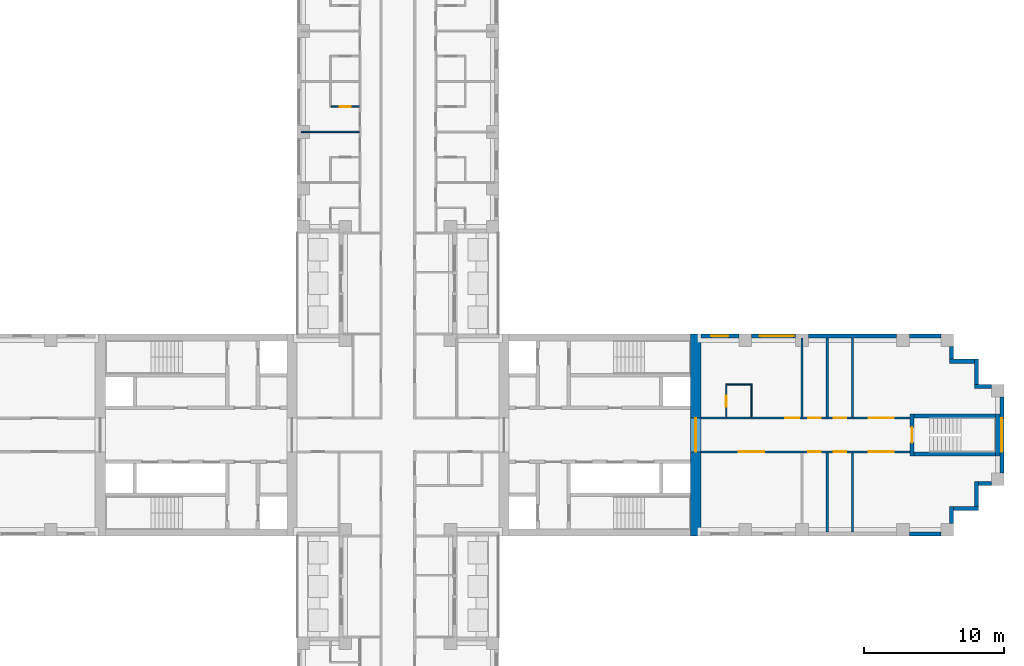
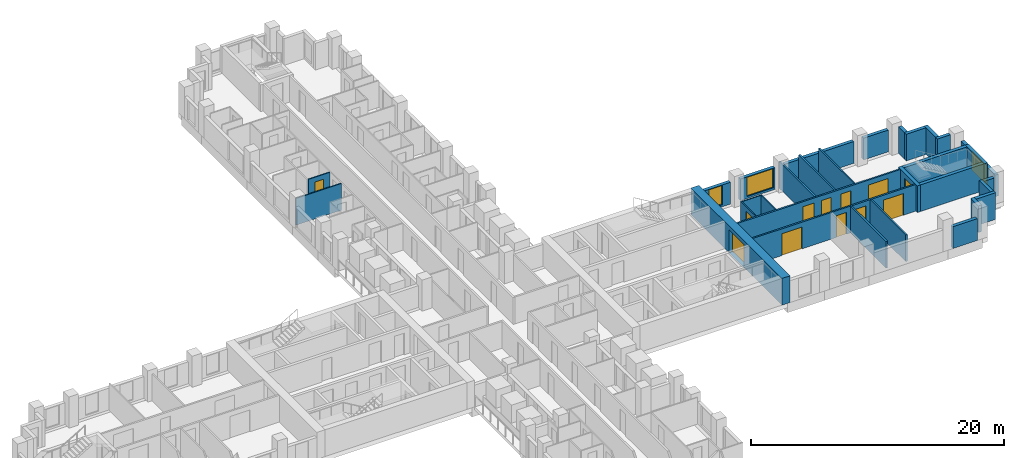
# One storey, part 10 of 15: 31 walls, 12 doors, 3 windows, 15 openings.
"""IFC4 building model written with IfcOpenShell, lengths in metres."""

from ifc_helpers import new_model, si_unit, direction, frame, frame_2d, origin, place, context, subcontext, project, spatial, rectangle, extrude, material, layer, layer_set, type_object, element, fill, save


model = new_model("IFC4")

# Units and contexts
model_context = context("Model", 3, precision=1e-05, world=origin(), true_north=direction((0.0, 1.0)))
body_context = subcontext(model_context, "Body", "Model", "MODEL_VIEW")
ifc_project = project(units=[si_unit("LENGTHUNIT", "METRE"), si_unit("AREAUNIT", "SQUARE_METRE"), si_unit("VOLUMEUNIT", "CUBIC_METRE"), si_unit("PLANEANGLEUNIT", "RADIAN"), si_unit("MASSUNIT", "GRAM", prefix="KILO")], contexts=[model_context])

# Site, building, storey
site_placement = place(None, origin())
site = spatial("IfcSite", under=ifc_project, at=site_placement, CompositionType="ELEMENT")
building_placement = place(site_placement, origin())
building = spatial("IfcBuilding", under=site, at=building_placement, Name="Fustian Cross Tower", CompositionType="ELEMENT")
storey_placement = place(building_placement, frame((0.0, 0.0, 14.699951171875)))
storey = spatial("IfcBuildingStorey", under=building, at=storey_placement, Name="L03", CompositionType="ELEMENT", Elevation=14.699951171875)

# Wall, openings, doors
ifc_material_1 = material(Name="Plasterboard on steel stud", Category="steel")
ifc_layer_1 = layer(ifc_material_1, 0.14990234375)
ifc_layer_set_1 = layer_set([ifc_layer_1], Name="Plasterboard on steel stud")
wall_type_1 = type_object("IfcWallType", Name="COMPARTMENT WALL 150 EI 60", PredefinedType="PARTITIONING", material=ifc_layer_set_1)
wall_1_placement = place(storey_placement, frame((21.60009765625, -1.199951171875, 0.0), z_axis=(0.0, 0.0, 1.0), x_axis=(1.0, 0.0, 0.0)))
wall_1 = element("IfcWall", 1, at=wall_1_placement, inside=storey, type_object=wall_type_1, Name="Partition 99", PredefinedType="PARTITIONING", context=body_context, shape_type="SweptSolid", body=[
    extrude(rectangle(XDim=14.89990234375, YDim=0.14990234375, at=frame_2d((7.449951171875, 0.0))), origin(), (0.0, 0.0, 1.0), 2.574951171875),
])
opening_1_placement = place(wall_1_placement, frame((2.699951171875, 0.0, 0.0)))
opening_1 = element("IfcOpeningElement", 2, at=opening_1_placement, cuts=wall_1, Name="Opening D04015", PredefinedType="OPENING", context=body_context, shape_type="SweptSolid", body=[
    extrude(rectangle(XDim=1.800048828125, YDim=2.10009765625, at=frame_2d((0.89990234375, 1.050048828125))), frame((0.0, 0.0849609375, 0.0), z_axis=(0.0, -1.0, 0.0), x_axis=(1.0, 0.0, 0.0)), (0.0, 0.0, 1.0), 0.169921875),
])
opening_2_placement = place(wall_1_placement, frame((7.64990234375, 0.0, 0.0)))
opening_2 = element("IfcOpeningElement", 3, at=opening_2_placement, cuts=wall_1, Name="Opening D04016", PredefinedType="OPENING", context=body_context, shape_type="SweptSolid", body=[
    extrude(rectangle(XDim=0.89990234375, YDim=2.10009765625, at=frame_2d((0.449951171875, 1.050048828125))), frame((0.0, 0.0849609375, 0.0), z_axis=(0.0, -1.0, 0.0), x_axis=(1.0, 0.0, 0.0)), (0.0, 0.0, 1.0), 0.169921875),
])
opening_3_placement = place(wall_1_placement, frame((9.449951171875, 0.0, 0.0)))
opening_3 = element("IfcOpeningElement", 4, at=opening_3_placement, cuts=wall_1, Name="Opening D04017", PredefinedType="OPENING", context=body_context, shape_type="SweptSolid", body=[
    extrude(rectangle(XDim=0.89990234375, YDim=2.10009765625, at=frame_2d((0.449951171875, 1.050048828125))), frame((0.0, 0.0849609375, 0.0), z_axis=(0.0, -1.0, 0.0), x_axis=(1.0, 0.0, 0.0)), (0.0, 0.0, 1.0), 0.169921875),
])
opening_4_placement = place(wall_1_placement, frame((11.949951171875, 0.0, 0.0)))
opening_4 = element("IfcOpeningElement", 5, at=opening_4_placement, cuts=wall_1, Name="Opening D04018", PredefinedType="OPENING", context=body_context, shape_type="SweptSolid", body=[
    extrude(rectangle(XDim=1.800048828125, YDim=2.10009765625, at=frame_2d((0.89990234375, 1.050048828125))), frame((0.0, 0.0849609375, 0.0), z_axis=(0.0, -1.0, 0.0), x_axis=(1.0, 0.0, 0.0)), (0.0, 0.0, 1.0), 0.169921875),
])
ifc_material_2 = material(Name="Timber fire door set", Category="wood")
door_type_1 = type_object("IfcDoorType", Name="FIRE DOUBLE DOOR 1800 FD30S", OperationType="DOUBLE_DOOR_DOUBLE_SWING", PredefinedType="DOOR", material=ifc_material_2)
door_1_placement = place(opening_1_placement, origin())
door_1 = element("IfcDoor", 6, at=door_1_placement, inside=storey, type_object=door_type_1, Name="Door D04015", OperationType="DOUBLE_DOOR_DOUBLE_SWING", OverallHeight=2.10009765625, OverallWidth=1.800048828125, PredefinedType="DOOR", context=body_context, shape_type="SweptSolid", body=[
    extrude(rectangle(XDim=1.800048828125, YDim=2.10009765625, at=frame_2d((0.89990234375, 1.050048828125))), frame((0.0, 0.02490234375, 0.0), z_axis=(0.0, -1.0, 0.0), x_axis=(1.0, 0.0, 0.0)), (0.0, 0.0, 1.0), 0.050048828125),
])
fill(opening_1, door_1)
door_2_placement = place(opening_4_placement, origin())
door_2 = element("IfcDoor", 7, at=door_2_placement, inside=storey, type_object=door_type_1, Name="Door D04018", OperationType="DOUBLE_DOOR_DOUBLE_SWING", OverallHeight=2.10009765625, OverallWidth=1.800048828125, PredefinedType="DOOR", context=body_context, shape_type="SweptSolid", body=[
    extrude(rectangle(XDim=1.800048828125, YDim=2.10009765625, at=frame_2d((0.89990234375, 1.050048828125))), frame((0.0, 0.02490234375, 0.0), z_axis=(0.0, -1.0, 0.0), x_axis=(1.0, 0.0, 0.0)), (0.0, 0.0, 1.0), 0.050048828125),
])
fill(opening_4, door_2)
ifc_material_3 = material(Name="Timber fire door set", Category="wood")
door_type_2 = type_object("IfcDoorType", Name="FIRE SWING DOOR 900 FD30S", OperationType="SINGLE_SWING_LEFT", PredefinedType="DOOR", material=ifc_material_3)
door_3_placement = place(opening_2_placement, frame((0.89990234375, 0.0, 0.0), z_axis=(0.0, 0.0, 1.0), x_axis=(-1.0, 0.0, 0.0)))
door_3 = element("IfcDoor", 8, at=door_3_placement, inside=storey, type_object=door_type_2, Name="Door D04016", OperationType="SINGLE_SWING_LEFT", OverallHeight=2.10009765625, OverallWidth=0.89990234375, PredefinedType="DOOR", context=body_context, shape_type="SweptSolid", body=[
    extrude(rectangle(XDim=0.89990234375, YDim=2.10009765625, at=frame_2d((0.449951171875, 1.050048828125))), frame((0.0, 0.02490234375, 0.0), z_axis=(0.0, -1.0, 0.0), x_axis=(1.0, 0.0, 0.0)), (0.0, 0.0, 1.0), 0.050048828125),
])
fill(opening_2, door_3)
door_4_placement = place(opening_3_placement, origin())
door_4 = element("IfcDoor", 9, at=door_4_placement, inside=storey, type_object=door_type_2, Name="Door D04017", OperationType="SINGLE_SWING_RIGHT", OverallHeight=2.10009765625, OverallWidth=0.89990234375, PredefinedType="DOOR", context=body_context, shape_type="SweptSolid", body=[
    extrude(rectangle(XDim=0.89990234375, YDim=2.10009765625, at=frame_2d((0.449951171875, 1.050048828125))), frame((0.0, 0.02490234375, 0.0), z_axis=(0.0, -1.0, 0.0), x_axis=(1.0, 0.0, 0.0)), (0.0, 0.0, 1.0), 0.050048828125),
])
fill(opening_3, door_4)

wall_2_placement = place(storey_placement, frame((21.60009765625, 1.199951171875, 0.0), z_axis=(0.0, 0.0, 1.0), x_axis=(1.0, 0.0, 0.0)))
wall_2 = element("IfcWall", 10, at=wall_2_placement, inside=storey, type_object=wall_type_1, Name="Partition 100", PredefinedType="PARTITIONING", context=body_context, shape_type="SweptSolid", body=[
    extrude(rectangle(XDim=14.89990234375, YDim=0.14990234375, at=frame_2d((7.449951171875, 0.0))), origin(), (0.0, 0.0, 1.0), 2.574951171875),
])
opening_5_placement = place(wall_2_placement, frame((6.0, 0.0, 0.0)))
opening_5 = element("IfcOpeningElement", 11, at=opening_5_placement, cuts=wall_2, Name="Opening D04011", PredefinedType="OPENING", context=body_context, shape_type="SweptSolid", body=[
    extrude(rectangle(XDim=1.0, YDim=2.10009765625, at=frame_2d((0.5, 1.050048828125))), frame((0.0, 0.0849609375, 0.0), z_axis=(0.0, -1.0, 0.0), x_axis=(1.0, 0.0, 0.0)), (0.0, 0.0, 1.0), 0.169921875),
])
opening_6_placement = place(wall_2_placement, frame((7.64990234375, 0.0, 0.0)))
opening_6 = element("IfcOpeningElement", 12, at=opening_6_placement, cuts=wall_2, Name="Opening D04012", PredefinedType="OPENING", context=body_context, shape_type="SweptSolid", body=[
    extrude(rectangle(XDim=0.89990234375, YDim=2.10009765625, at=frame_2d((0.449951171875, 1.050048828125))), frame((0.0, 0.0849609375, 0.0), z_axis=(0.0, -1.0, 0.0), x_axis=(1.0, 0.0, 0.0)), (0.0, 0.0, 1.0), 0.169921875),
])
opening_7_placement = place(wall_2_placement, frame((9.449951171875, 0.0, 0.0)))
opening_7 = element("IfcOpeningElement", 13, at=opening_7_placement, cuts=wall_2, Name="Opening D04013", PredefinedType="OPENING", context=body_context, shape_type="SweptSolid", body=[
    extrude(rectangle(XDim=0.89990234375, YDim=2.10009765625, at=frame_2d((0.449951171875, 1.050048828125))), frame((0.0, 0.0849609375, 0.0), z_axis=(0.0, -1.0, 0.0), x_axis=(1.0, 0.0, 0.0)), (0.0, 0.0, 1.0), 0.169921875),
])
opening_8_placement = place(wall_2_placement, frame((11.949951171875, 0.0, 0.0)))
opening_8 = element("IfcOpeningElement", 14, at=opening_8_placement, cuts=wall_2, Name="Opening D04014", PredefinedType="OPENING", context=body_context, shape_type="SweptSolid", body=[
    extrude(rectangle(XDim=1.800048828125, YDim=2.10009765625, at=frame_2d((0.89990234375, 1.050048828125))), frame((0.0, 0.0849609375, 0.0), z_axis=(0.0, -1.0, 0.0), x_axis=(1.0, 0.0, 0.0)), (0.0, 0.0, 1.0), 0.169921875),
])
door_5_placement = place(opening_8_placement, frame((1.800048828125, 0.0, 0.0), z_axis=(0.0, 0.0, 1.0), x_axis=(-1.0, 0.0, 0.0)))
door_5 = element("IfcDoor", 15, at=door_5_placement, inside=storey, type_object=door_type_1, Name="Door D04014", OperationType="DOUBLE_DOOR_DOUBLE_SWING", OverallHeight=2.10009765625, OverallWidth=1.800048828125, PredefinedType="DOOR", context=body_context, shape_type="SweptSolid", body=[
    extrude(rectangle(XDim=1.800048828125, YDim=2.10009765625, at=frame_2d((0.89990234375, 1.050048828125))), frame((0.0, 0.02490234375, 0.0), z_axis=(0.0, -1.0, 0.0), x_axis=(1.0, 0.0, 0.0)), (0.0, 0.0, 1.0), 0.050048828125),
])
fill(opening_8, door_5)
ifc_material_4 = material(Name="Timber fire door set", Category="wood")
door_type_3 = type_object("IfcDoorType", Name="FIRE SWING DOOR 1000 FD30S", OperationType="SINGLE_SWING_LEFT", PredefinedType="DOOR", material=ifc_material_4)
door_6_placement = place(opening_5_placement, origin())
door_6 = element("IfcDoor", 16, at=door_6_placement, inside=storey, type_object=door_type_3, Name="Door D04011", OperationType="SINGLE_SWING_RIGHT", OverallHeight=2.10009765625, OverallWidth=1.0, PredefinedType="DOOR", context=body_context, shape_type="SweptSolid", body=[
    extrude(rectangle(XDim=1.0, YDim=2.10009765625, at=frame_2d((0.5, 1.050048828125))), frame((0.0, 0.02490234375, 0.0), z_axis=(0.0, -1.0, 0.0), x_axis=(1.0, 0.0, 0.0)), (0.0, 0.0, 1.0), 0.050048828125),
])
fill(opening_5, door_6)
door_7_placement = place(opening_6_placement, origin())
door_7 = element("IfcDoor", 17, at=door_7_placement, inside=storey, type_object=door_type_2, Name="Door D04012", OperationType="SINGLE_SWING_RIGHT", OverallHeight=2.10009765625, OverallWidth=0.89990234375, PredefinedType="DOOR", context=body_context, shape_type="SweptSolid", body=[
    extrude(rectangle(XDim=0.89990234375, YDim=2.10009765625, at=frame_2d((0.449951171875, 1.050048828125))), frame((0.0, 0.02490234375, 0.0), z_axis=(0.0, -1.0, 0.0), x_axis=(1.0, 0.0, 0.0)), (0.0, 0.0, 1.0), 0.050048828125),
])
fill(opening_6, door_7)
door_8_placement = place(opening_7_placement, origin())
door_8 = element("IfcDoor", 18, at=door_8_placement, inside=storey, type_object=door_type_2, Name="Door D04013", OperationType="SINGLE_SWING_RIGHT", OverallHeight=2.10009765625, OverallWidth=0.89990234375, PredefinedType="DOOR", context=body_context, shape_type="SweptSolid", body=[
    extrude(rectangle(XDim=0.89990234375, YDim=2.10009765625, at=frame_2d((0.449951171875, 1.050048828125))), frame((0.0, 0.02490234375, 0.0), z_axis=(0.0, -1.0, 0.0), x_axis=(1.0, 0.0, 0.0)), (0.0, 0.0, 1.0), 0.050048828125),
])
fill(opening_7, door_8)

# Walls
for number, where, z_axis, x_axis, name in (
    (19, (28.800048828125, 1.27490234375, 0.0), (0.0, 0.0, 1.0), (0.0, 1.0, 0.0), "Partition 105"),
    (20, (30.60009765625, -6.89990234375, 0.0), (0.0, 0.0, 1.0), (0.0, 1.0, 0.0), "Partition 106"),
    (21, (30.60009765625, 1.27490234375, 0.0), (0.0, 0.0, 1.0), (0.0, 1.0, 0.0), "Partition 107"),
    (22, (32.39990234375, -6.89990234375, 0.0), (0.0, 0.0, 1.0), (0.0, 1.0, 0.0), "Partition 108"),
):
    element("IfcWall", number, at=place(storey_placement, frame(where, z_axis=z_axis, x_axis=x_axis)), inside=storey, type_object=wall_type_1, Name=name, PredefinedType="PARTITIONING", context=body_context, shape_type="SweptSolid", body=[
        extrude(rectangle(XDim=5.625, YDim=0.14990234375, at=frame_2d((2.8125, 0.0))), origin(), (0.0, 0.0, 1.0), 2.574951171875),
    ])

# Wall, opening, door
ifc_material_5 = material(Name="Concrete C80/95", Category="concrete")
ifc_layer_2 = layer(ifc_material_5, 0.75)
ifc_layer_set_2 = layer_set([ifc_layer_2], Name="Concrete C80/95")
wall_type_2 = type_object("IfcWallType", Name="CORE END WALL 750 C80/95", PredefinedType="SHEAR", material=ifc_layer_set_2)
wall_3_placement = place(storey_placement, frame((21.22509765625, -7.199951171875, 0.0), z_axis=(0.0, 0.0, 1.0), x_axis=(0.0, 1.0, 0.0)))
wall_3 = element("IfcWall", 23, at=wall_3_placement, inside=storey, type_object=wall_type_2, Name="Core end wall", PredefinedType="SHEAR", context=body_context, shape_type="SweptSolid", body=[
    extrude(rectangle(XDim=14.39990234375, YDim=0.75, at=frame_2d((7.199951171875, 0.0))), origin(), (0.0, 0.0, 1.0), 2.574951171875),
])
opening_9_placement = place(wall_3_placement, frame((6.0, 0.0, 0.0)))
opening_9 = element("IfcOpeningElement", 24, at=opening_9_placement, cuts=wall_3, Name="Opening CD-04-13", PredefinedType="OPENING", context=body_context, shape_type="SweptSolid", body=[
    extrude(rectangle(XDim=2.39990234375, YDim=2.199951171875, at=frame_2d((1.199951171875, 1.10009765625))), frame((0.0, 0.385009765625, 0.0), z_axis=(0.0, -1.0, 0.0), x_axis=(1.0, 0.0, 0.0)), (0.0, 0.0, 1.0), 0.77001953125),
])
ifc_material_6 = material(Name="Steel", Category="steel")
door_type_4 = type_object("IfcDoorType", Name="FIRE DOOR FD30S DOUBLE 2400X2200", OperationType="DOUBLE_DOOR_DOUBLE_SWING", PredefinedType="DOOR", material=ifc_material_6)
door_9_placement = place(opening_9_placement, origin())
door_9 = element("IfcDoor", 25, at=door_9_placement, inside=storey, type_object=door_type_4, Name="Core door CD-04-13", OperationType="DOUBLE_DOOR_DOUBLE_SWING", OverallHeight=2.199951171875, OverallWidth=2.39990234375, PredefinedType="DOOR", context=body_context, shape_type="SweptSolid", body=[
    extrude(rectangle(XDim=2.39990234375, YDim=2.199951171875, at=frame_2d((1.199951171875, 1.10009765625))), frame((0.0, 0.02490234375, 0.0), z_axis=(0.0, -1.0, 0.0), x_axis=(1.0, 0.0, 0.0)), (0.0, 0.0, 1.0), 0.050048828125),
])
fill(opening_9, door_9)

# Wall
ifc_material_7 = material(Name="Plasterboard on steel stud", Category="steel")
ifc_layer_3 = layer(ifc_material_7, 0.10009765625)
ifc_layer_set_3 = layer_set([ifc_layer_3], Name="Plasterboard on steel stud")
wall_type_3 = type_object("IfcWallType", Name="PARTITION 100 STUD", PredefinedType="PARTITIONING", material=ifc_layer_set_3)
wall_4_placement = place(storey_placement, frame((-6.89990234375, 21.60009765625, 0.0), z_axis=(0.0, 0.0, 1.0), x_axis=(1.0, 0.0, 0.0)))
element("IfcWall", 26, at=wall_4_placement, inside=storey, type_object=wall_type_3, Name="Partition 18", PredefinedType="PARTITIONING", context=body_context, shape_type="SweptSolid", body=[
    extrude(rectangle(XDim=4.14990234375, YDim=0.10009765625, at=frame_2d((2.074951171875, 0.0))), origin(), (0.0, 0.0, 1.0), 2.574951171875),
])

# Wall, opening, door
wall_5_placement = place(storey_placement, frame((-4.75, 23.39990234375, 0.0), z_axis=(0.0, 0.0, 1.0), x_axis=(1.0, 0.0, 0.0)))
wall_5 = element("IfcWall", 27, at=wall_5_placement, inside=storey, type_object=wall_type_3, Name="Partition 40", PredefinedType="PARTITIONING", context=body_context, shape_type="SweptSolid", body=[
    extrude(rectangle(XDim=2.0, YDim=0.10009765625, at=frame_2d((1.0, 0.0))), origin(), (0.0, 0.0, 1.0), 2.574951171875),
])
opening_10_placement = place(wall_5_placement, frame((0.60009765625, 0.0, 0.0)))
opening_10 = element("IfcOpeningElement", 28, at=opening_10_placement, cuts=wall_5, Name="Opening D04030", PredefinedType="OPENING", context=body_context, shape_type="SweptSolid", body=[
    extrude(rectangle(XDim=0.800048828125, YDim=2.10009765625, at=frame_2d((0.39990234375, 1.050048828125))), frame((0.0, 0.06005859375, 0.0), z_axis=(0.0, -1.0, 0.0), x_axis=(1.0, 0.0, 0.0)), (0.0, 0.0, 1.0), 0.1201171875),
])
ifc_material_8 = material(Name="Painted timber", Category="wood")
door_type_5 = type_object("IfcDoorType", Name="SWING DOOR 800", OperationType="SINGLE_SWING_LEFT", PredefinedType="DOOR", material=ifc_material_8)
door_10_placement = place(opening_10_placement, origin())
door_10 = element("IfcDoor", 29, at=door_10_placement, inside=storey, type_object=door_type_5, Name="Door D04030", OperationType="SINGLE_SWING_LEFT", OverallHeight=2.10009765625, OverallWidth=0.800048828125, PredefinedType="DOOR", context=body_context, shape_type="SweptSolid", body=[
    extrude(rectangle(XDim=0.800048828125, YDim=2.10009765625, at=frame_2d((0.39990234375, 1.050048828125))), frame((0.0, 0.02490234375, 0.0), z_axis=(0.0, -1.0, 0.0), x_axis=(1.0, 0.0, 0.0)), (0.0, 0.0, 1.0), 0.050048828125),
])
fill(opening_10, door_10)

wall_6_placement = place(storey_placement, frame((23.39990234375, 1.27490234375, 0.0), z_axis=(0.0, 0.0, 1.0), x_axis=(0.0, 1.0, 0.0)))
wall_6 = element("IfcWall", 30, at=wall_6_placement, inside=storey, type_object=wall_type_3, Name="Partition 101", PredefinedType="PARTITIONING", context=body_context, shape_type="SweptSolid", body=[
    extrude(rectangle(XDim=2.375, YDim=0.10009765625, at=frame_2d((1.1875, 0.0))), origin(), (0.0, 0.0, 1.0), 2.574951171875),
])
opening_11_placement = place(wall_6_placement, frame((0.72509765625, 0.0, 0.0)))
opening_11 = element("IfcOpeningElement", 31, at=opening_11_placement, cuts=wall_6, Name="Opening D04010", PredefinedType="OPENING", context=body_context, shape_type="SweptSolid", body=[
    extrude(rectangle(XDim=0.800048828125, YDim=2.10009765625, at=frame_2d((0.39990234375, 1.050048828125))), frame((0.0, 0.06005859375, 0.0), z_axis=(0.0, -1.0, 0.0), x_axis=(1.0, 0.0, 0.0)), (0.0, 0.0, 1.0), 0.1201171875),
])
door_11_placement = place(opening_11_placement, frame((0.800048828125, 0.0, 0.0), z_axis=(0.0, 0.0, 1.0), x_axis=(-1.0, 0.0, 0.0)))
door_11 = element("IfcDoor", 32, at=door_11_placement, inside=storey, type_object=door_type_5, Name="Door D04010", OperationType="SINGLE_SWING_RIGHT", OverallHeight=2.10009765625, OverallWidth=0.800048828125, PredefinedType="DOOR", context=body_context, shape_type="SweptSolid", body=[
    extrude(rectangle(XDim=0.800048828125, YDim=2.10009765625, at=frame_2d((0.39990234375, 1.050048828125))), frame((0.0, 0.02490234375, 0.0), z_axis=(0.0, -1.0, 0.0), x_axis=(1.0, 0.0, 0.0)), (0.0, 0.0, 1.0), 0.050048828125),
])
fill(opening_11, door_11)

# Walls
wall_7_placement = place(storey_placement, frame((23.449951171875, 3.60009765625, 0.0), z_axis=(0.0, 0.0, 1.0), x_axis=(1.0, 0.0, 0.0)))
element("IfcWall", 33, at=wall_7_placement, inside=storey, type_object=wall_type_3, Name="Partition 102", PredefinedType="PARTITIONING", context=body_context, shape_type="SweptSolid", body=[
    extrude(rectangle(XDim=1.800048828125, YDim=0.10009765625, at=frame_2d((0.89990234375, 0.0))), origin(), (0.0, 0.0, 1.0), 2.574951171875),
])
wall_8_placement = place(storey_placement, frame((25.199951171875, 1.27490234375, 0.0), z_axis=(0.0, 0.0, 1.0), x_axis=(0.0, 1.0, 0.0)))
element("IfcWall", 34, at=wall_8_placement, inside=storey, type_object=wall_type_3, Name="Partition 103", PredefinedType="PARTITIONING", context=body_context, shape_type="SweptSolid", body=[
    extrude(rectangle(XDim=2.275146484375, YDim=0.10009765625, at=frame_2d((1.1376953125, 0.0))), origin(), (0.0, 0.0, 1.0), 2.574951171875),
])

# Wall, opening, door
ifc_material_9 = material(Name="Concrete C50/60", Category="concrete")
ifc_layer_4 = layer(ifc_material_9, 0.300048828125)
ifc_layer_set_4 = layer_set([ifc_layer_4], Name="Concrete C50/60")
wall_type_4 = type_object("IfcWallType", Name="STAIR ENCLOSURE WALL 300 C50/60", PredefinedType="SHEAR", material=ifc_layer_set_4)
wall_9_placement = place(storey_placement, frame((36.64990234375, -1.5, 0.0), z_axis=(0.0, 0.0, 1.0), x_axis=(0.0, 1.0, 0.0)))
wall_9 = element("IfcWall", 35, at=wall_9_placement, inside=storey, type_object=wall_type_4, Name="Stair enclosure wall", PredefinedType="SHEAR", context=body_context, shape_type="SweptSolid", body=[
    extrude(rectangle(XDim=3.0, YDim=0.300048828125, at=frame_2d((1.5, 0.0))), origin(), (0.0, 0.0, 1.0), 2.574951171875),
])
opening_12_placement = place(wall_9_placement, frame((0.949951171875, 0.0, 0.0)))
opening_12 = element("IfcOpeningElement", 36, at=opening_12_placement, cuts=wall_9, Name="Opening CD-04-31", PredefinedType="OPENING", context=body_context, shape_type="SweptSolid", body=[
    extrude(rectangle(XDim=1.10009765625, YDim=2.10009765625, at=frame_2d((0.550048828125, 1.050048828125))), frame((0.0, 0.159912109375, 0.0), z_axis=(0.0, -1.0, 0.0), x_axis=(1.0, 0.0, 0.0)), (0.0, 0.0, 1.0), 0.320068359375),
])
ifc_material_10 = material(Name="Steel", Category="steel")
door_type_6 = type_object("IfcDoorType", Name="FIRE DOOR FD60S 1100X2100", OperationType="SINGLE_SWING_LEFT", PredefinedType="DOOR", material=ifc_material_10)
door_12_placement = place(opening_12_placement, frame((1.10009765625, 0.0, 0.0), z_axis=(0.0, 0.0, 1.0), x_axis=(-1.0, 0.0, 0.0)))
door_12 = element("IfcDoor", 37, at=door_12_placement, inside=storey, type_object=door_type_6, Name="Core door CD-04-31", OperationType="SINGLE_SWING_RIGHT", OverallHeight=2.10009765625, OverallWidth=1.10009765625, PredefinedType="DOOR", context=body_context, shape_type="SweptSolid", body=[
    extrude(rectangle(XDim=1.10009765625, YDim=2.10009765625, at=frame_2d((0.550048828125, 1.050048828125))), frame((0.0, 0.02490234375, 0.0), z_axis=(0.0, -1.0, 0.0), x_axis=(1.0, 0.0, 0.0)), (0.0, 0.0, 1.0), 0.050048828125),
])
fill(opening_12, door_12)

# Walls
wall_10_placement = place(storey_placement, frame((42.75, -1.5, 0.0), z_axis=(0.0, 0.0, 1.0), x_axis=(0.0, 1.0, 0.0)))
element("IfcWall", 38, at=wall_10_placement, inside=storey, type_object=wall_type_4, Name="Stair enclosure wall", PredefinedType="SHEAR", context=body_context, shape_type="SweptSolid", body=[
    extrude(rectangle(XDim=3.0, YDim=0.300048828125, at=frame_2d((1.5, 0.0))), origin(), (0.0, 0.0, 1.0), 2.574951171875),
])
for number, where, z_axis, x_axis, name in (
    (39, (36.800048828125, -1.35009765625, 0.0), (0.0, 0.0, 1.0), (1.0, 0.0, 0.0), "Stair enclosure wall"),
    (40, (36.800048828125, 1.35009765625, 0.0), (0.0, 0.0, 1.0), (1.0, 0.0, 0.0), "Stair enclosure wall"),
):
    element("IfcWall", number, at=place(storey_placement, frame(where, z_axis=z_axis, x_axis=x_axis)), inside=storey, type_object=wall_type_4, Name=name, PredefinedType="SHEAR", context=body_context, shape_type="SweptSolid", body=[
        extrude(rectangle(XDim=5.800048828125, YDim=0.300048828125, at=frame_2d((2.89990234375, 0.0))), origin(), (0.0, 0.0, 1.0), 2.574951171875),
    ])
ifc_material_11 = material(Name="Plasterboard on steel stud", Category="steel")
ifc_layer_5 = layer(ifc_material_11, 0.125)
ifc_layer_set_5 = layer_set([ifc_layer_5], Name="Plasterboard on steel stud")
wall_type_5 = type_object("IfcWallType", Name="WET WALL 125 STUD", PredefinedType="PARTITIONING", material=ifc_layer_set_5)
wall_11_placement = place(storey_placement, frame((32.39990234375, 1.27490234375, 0.0), z_axis=(0.0, 0.0, 1.0), x_axis=(0.0, 1.0, 0.0)))
element("IfcWall", 41, at=wall_11_placement, inside=storey, type_object=wall_type_5, Name="Partition 109", PredefinedType="PARTITIONING", context=body_context, shape_type="SweptSolid", body=[
    extrude(rectangle(XDim=5.625, YDim=0.125, at=frame_2d((2.8125, 0.0))), origin(), (0.0, 0.0, 1.0), 2.574951171875),
])
ifc_material_12 = material(Name="Dark aluminium cladding on insulated backing wall", Category="aluminium")
ifc_layer_6 = layer(ifc_material_12, 0.300048828125)
ifc_layer_set_6 = layer_set([ifc_layer_6], Name="Dark aluminium cladding on insulated backing wall")
wall_type_6 = type_object("IfcWallType", Name="XW1 EXTERNAL WALL 300", PredefinedType="SOLIDWALL", material=ifc_layer_set_6)
wall_12_placement = place(storey_placement, frame((36.449951171875, -7.050048828125, 0.0), z_axis=(0.0, 0.0, 1.0), x_axis=(1.0, 0.0, 0.0)))
element("IfcWall", 42, at=wall_12_placement, inside=storey, type_object=wall_type_6, Name="External wall", PredefinedType="SOLIDWALL", context=body_context, shape_type="SweptSolid", body=[
    extrude(rectangle(XDim=2.25, YDim=0.300048828125, at=frame_2d((1.125, 0.0))), origin(), (0.0, 0.0, 1.0), 2.10009765625),
])
wall_13_placement = place(storey_placement, frame((39.449951171875, -6.300048828125, 0.0), z_axis=(0.0, 0.0, 1.0), x_axis=(0.0, 1.0, 0.0)))
element("IfcWall", 43, at=wall_13_placement, inside=storey, type_object=wall_type_6, Name="External wall", PredefinedType="SOLIDWALL", context=body_context, shape_type="SweptSolid", body=[
    extrude(rectangle(XDim=1.199951171875, YDim=0.300048828125, at=frame_2d((0.60009765625, 0.0))), origin(), (0.0, 0.0, 1.0), 2.574951171875),
])
wall_14_placement = place(storey_placement, frame((39.60009765625, -5.25, 0.0), z_axis=(0.0, 0.0, 1.0), x_axis=(1.0, 0.0, 0.0)))
element("IfcWall", 44, at=wall_14_placement, inside=storey, type_object=wall_type_6, Name="External wall", PredefinedType="SOLIDWALL", context=body_context, shape_type="SweptSolid", body=[
    extrude(rectangle(XDim=1.7998046875, YDim=0.300048828125, at=frame_2d((0.89990234375, 0.0))), origin(), (0.0, 0.0, 1.0), 2.574951171875),
])
wall_15_placement = place(storey_placement, frame((41.25, -5.10009765625, 0.0), z_axis=(0.0, 0.0, 1.0), x_axis=(0.0, 1.0, 0.0)))
element("IfcWall", 45, at=wall_15_placement, inside=storey, type_object=wall_type_6, Name="External wall", PredefinedType="SOLIDWALL", context=body_context, shape_type="SweptSolid", body=[
    extrude(rectangle(XDim=1.800048828125, YDim=0.300048828125, at=frame_2d((0.89990234375, 0.0))), origin(), (0.0, 0.0, 1.0), 2.574951171875),
])
wall_16_placement = place(storey_placement, frame((41.39990234375, -3.449951171875, 0.0), z_axis=(0.0, 0.0, 1.0), x_axis=(1.0, 0.0, 0.0)))
element("IfcWall", 46, at=wall_16_placement, inside=storey, type_object=wall_type_6, Name="External wall", PredefinedType="SOLIDWALL", context=body_context, shape_type="SweptSolid", body=[
    extrude(rectangle(XDim=0.900146484375, YDim=0.300048828125, at=frame_2d((0.4501953125, 0.0))), origin(), (0.0, 0.0, 1.0), 2.574951171875),
])

# Wall, opening, window
wall_17_placement = place(storey_placement, frame((43.050048828125, -2.699951171875, 0.0), z_axis=(0.0, 0.0, 1.0), x_axis=(0.0, 1.0, 0.0)))
wall_17 = element("IfcWall", 47, at=wall_17_placement, inside=storey, type_object=wall_type_6, Name="External wall", PredefinedType="SOLIDWALL", context=body_context, shape_type="SweptSolid", body=[
    extrude(rectangle(XDim=5.39990234375, YDim=0.300048828125, at=frame_2d((2.699951171875, 0.0))), origin(), (0.0, 0.0, 1.0), 2.10009765625),
])
opening_13_placement = place(wall_17_placement, frame((1.5, 0.0, 0.199951171875)))
opening_13 = element("IfcOpeningElement", 48, at=opening_13_placement, cuts=wall_17, Name="Opening WN1", PredefinedType="OPENING", context=body_context, shape_type="SweptSolid", body=[
    extrude(rectangle(XDim=2.39990234375, YDim=1.85009765625, at=frame_2d((1.199951171875, 0.925048828125))), frame((0.0, 0.159912109375, 0.0), z_axis=(0.0, -1.0, 0.0), x_axis=(1.0, 0.0, 0.0)), (0.0, 0.0, 1.0), 0.320068359375),
])
ifc_material_13 = material(Name="Dark anodised aluminium and double glazing", Category="aluminium")
window_type_1 = type_object("IfcWindowType", Name="WN1 WINDOW 2400X1850", PartitioningType="SINGLE_PANEL", PredefinedType="WINDOW", material=ifc_material_13)
window_1_placement = place(opening_13_placement, origin())
window_1 = element("IfcWindow", 49, at=window_1_placement, inside=storey, type_object=window_type_1, Name="Window", OverallHeight=1.85009765625, OverallWidth=2.39990234375, PartitioningType="SINGLE_PANEL", PredefinedType="WINDOW", context=body_context, shape_type="SweptSolid", body=[
    extrude(rectangle(XDim=2.39990234375, YDim=1.85009765625, at=frame_2d((1.199951171875, 0.925048828125))), frame((0.0, 0.030029296875, 0.0), z_axis=(0.0, -1.0, 0.0), x_axis=(1.0, 0.0, 0.0)), (0.0, 0.0, 1.0), 0.06005859375),
])
fill(opening_13, window_1)

# Walls
wall_18_placement = place(storey_placement, frame((42.300048828125, 3.449951171875, 0.0), z_axis=(0.0, 0.0, 1.0), x_axis=(-1.0, 0.0, 0.0)))
element("IfcWall", 50, at=wall_18_placement, inside=storey, type_object=wall_type_6, Name="External wall", PredefinedType="SOLIDWALL", context=body_context, shape_type="SweptSolid", body=[
    extrude(rectangle(XDim=1.199951171875, YDim=0.300048828125, at=frame_2d((0.60009765625, 0.0))), origin(), (0.0, 0.0, 1.0), 2.574951171875),
])
wall_19_placement = place(storey_placement, frame((41.25, 3.60009765625, 0.0), z_axis=(0.0, 0.0, 1.0), x_axis=(0.0, 1.0, 0.0)))
element("IfcWall", 51, at=wall_19_placement, inside=storey, type_object=wall_type_6, Name="External wall", PredefinedType="SOLIDWALL", context=body_context, shape_type="SweptSolid", body=[
    extrude(rectangle(XDim=1.7998046875, YDim=0.300048828125, at=frame_2d((0.89990234375, 0.0))), origin(), (0.0, 0.0, 1.0), 2.574951171875),
])
wall_20_placement = place(storey_placement, frame((41.10009765625, 5.25, 0.0), z_axis=(0.0, 0.0, 1.0), x_axis=(-1.0, 0.0, 0.0)))
element("IfcWall", 52, at=wall_20_placement, inside=storey, type_object=wall_type_6, Name="External wall", PredefinedType="SOLIDWALL", context=body_context, shape_type="SweptSolid", body=[
    extrude(rectangle(XDim=1.800048828125, YDim=0.300048828125, at=frame_2d((0.89990234375, 0.0))), origin(), (0.0, 0.0, 1.0), 2.574951171875),
])
wall_21_placement = place(storey_placement, frame((39.449951171875, 5.39990234375, 0.0), z_axis=(0.0, 0.0, 1.0), x_axis=(0.0, 1.0, 0.0)))
element("IfcWall", 53, at=wall_21_placement, inside=storey, type_object=wall_type_6, Name="External wall", PredefinedType="SOLIDWALL", context=body_context, shape_type="SweptSolid", body=[
    extrude(rectangle(XDim=0.900146484375, YDim=0.300048828125, at=frame_2d((0.4501953125, 0.0))), origin(), (0.0, 0.0, 1.0), 2.574951171875),
])
wall_22_placement = place(storey_placement, frame((38.699951171875, 7.050048828125, 0.0), z_axis=(0.0, 0.0, 1.0), x_axis=(-1.0, 0.0, 0.0)))
element("IfcWall", 54, at=wall_22_placement, inside=storey, type_object=wall_type_6, Name="External wall", PredefinedType="SOLIDWALL", context=body_context, shape_type="SweptSolid", body=[
    extrude(rectangle(XDim=2.25, YDim=0.300048828125, at=frame_2d((1.125, 0.0))), origin(), (0.0, 0.0, 1.0), 2.10009765625),
])
wall_23_placement = place(storey_placement, frame((35.550048828125, 7.050048828125, 0.0), z_axis=(0.0, 0.0, 1.0), x_axis=(-1.0, 0.0, 0.0)))
element("IfcWall", 55, at=wall_23_placement, inside=storey, type_object=wall_type_6, Name="External wall", PredefinedType="SOLIDWALL", context=body_context, shape_type="SweptSolid", body=[
    extrude(rectangle(XDim=6.300048828125, YDim=0.300048828125, at=frame_2d((3.14990234375, 0.0))), origin(), (0.0, 0.0, 1.0), 2.10009765625),
])

# Wall, opening, window
wall_24_placement = place(storey_placement, frame((28.35009765625, 7.050048828125, 0.0), z_axis=(0.0, 0.0, 1.0), x_axis=(-1.0, 0.0, 0.0)))
wall_24 = element("IfcWall", 56, at=wall_24_placement, inside=storey, type_object=wall_type_6, Name="External wall", PredefinedType="SOLIDWALL", context=body_context, shape_type="SweptSolid", body=[
    extrude(rectangle(XDim=3.150146484375, YDim=0.300048828125, at=frame_2d((1.5751953125, 0.0))), origin(), (0.0, 0.0, 1.0), 2.10009765625),
])
opening_14_placement = place(wall_24_placement, frame((0.14990234375, 0.0, 0.199951171875)))
opening_14 = element("IfcOpeningElement", 57, at=opening_14_placement, cuts=wall_24, Name="Opening WN1", PredefinedType="OPENING", context=body_context, shape_type="SweptSolid", body=[
    extrude(rectangle(XDim=2.39990234375, YDim=1.85009765625, at=frame_2d((1.199951171875, 0.925048828125))), frame((0.0, 0.159912109375, 0.0), z_axis=(0.0, -1.0, 0.0), x_axis=(1.0, 0.0, 0.0)), (0.0, 0.0, 1.0), 0.320068359375),
])
window_2_placement = place(opening_14_placement, origin())
window_2 = element("IfcWindow", 58, at=window_2_placement, inside=storey, type_object=window_type_1, Name="Window", OverallHeight=1.85009765625, OverallWidth=2.39990234375, PartitioningType="SINGLE_PANEL", PredefinedType="WINDOW", context=body_context, shape_type="SweptSolid", body=[
    extrude(rectangle(XDim=2.39990234375, YDim=1.85009765625, at=frame_2d((1.199951171875, 0.925048828125))), frame((0.0, 0.030029296875, 0.0), z_axis=(0.0, -1.0, 0.0), x_axis=(1.0, 0.0, 0.0)), (0.0, 0.0, 1.0), 0.06005859375),
])
fill(opening_14, window_2)

wall_25_placement = place(storey_placement, frame((24.300048828125, 7.050048828125, 0.0), z_axis=(0.0, 0.0, 1.0), x_axis=(-1.0, 0.0, 0.0)))
wall_25 = element("IfcWall", 59, at=wall_25_placement, inside=storey, type_object=wall_type_6, Name="External wall", PredefinedType="SOLIDWALL", context=body_context, shape_type="SweptSolid", body=[
    extrude(rectangle(XDim=2.699951171875, YDim=0.300048828125, at=frame_2d((1.35009765625, 0.0))), origin(), (0.0, 0.0, 1.0), 2.10009765625),
])
opening_15_placement = place(wall_25_placement, frame((0.75, 0.0, 0.199951171875)))
opening_15 = element("IfcOpeningElement", 60, at=opening_15_placement, cuts=wall_25, Name="Opening WN3", PredefinedType="OPENING", context=body_context, shape_type="SweptSolid", body=[
    extrude(rectangle(XDim=1.199951171875, YDim=1.85009765625, at=frame_2d((0.60009765625, 0.925048828125))), frame((0.0, 0.159912109375, 0.0), z_axis=(0.0, -1.0, 0.0), x_axis=(1.0, 0.0, 0.0)), (0.0, 0.0, 1.0), 0.320068359375),
])
ifc_material_14 = material(Name="Dark anodised aluminium and double glazing", Category="aluminium")
window_type_2 = type_object("IfcWindowType", Name="WN3 WINDOW 1200X1850", PartitioningType="SINGLE_PANEL", PredefinedType="WINDOW", material=ifc_material_14)
window_3_placement = place(opening_15_placement, origin())
window_3 = element("IfcWindow", 61, at=window_3_placement, inside=storey, type_object=window_type_2, Name="Window", OverallHeight=1.85009765625, OverallWidth=1.199951171875, PartitioningType="SINGLE_PANEL", PredefinedType="WINDOW", context=body_context, shape_type="SweptSolid", body=[
    extrude(rectangle(XDim=1.199951171875, YDim=1.85009765625, at=frame_2d((0.60009765625, 0.925048828125))), frame((0.0, 0.030029296875, 0.0), z_axis=(0.0, -1.0, 0.0), x_axis=(1.0, 0.0, 0.0)), (0.0, 0.0, 1.0), 0.06005859375),
])
fill(opening_15, window_3)

save(model, "model.ifc")
